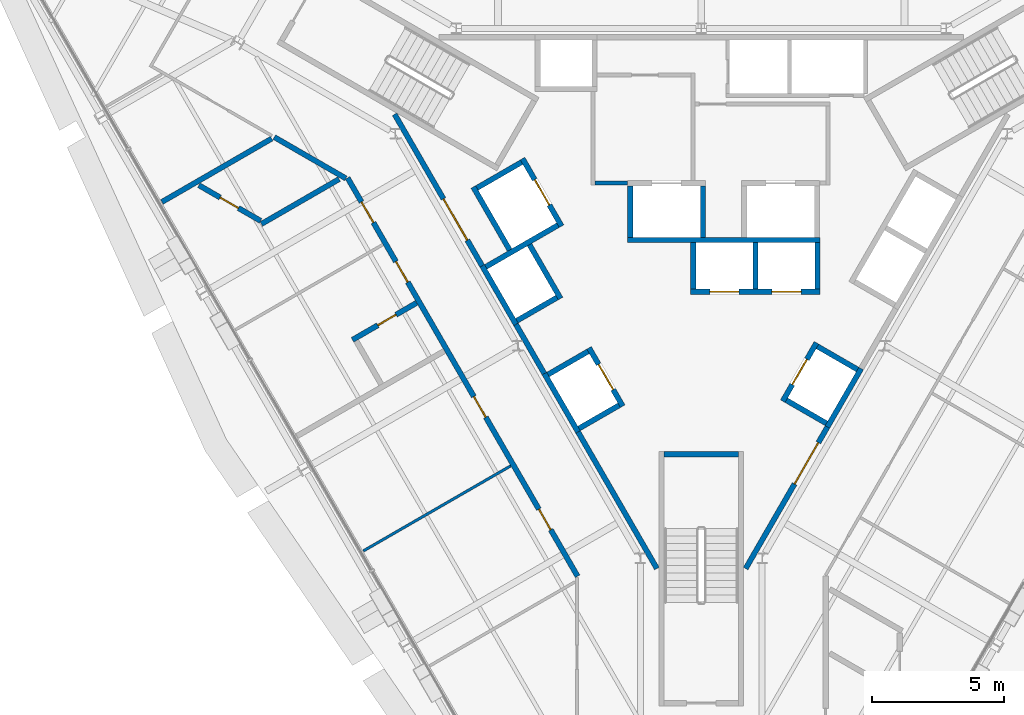
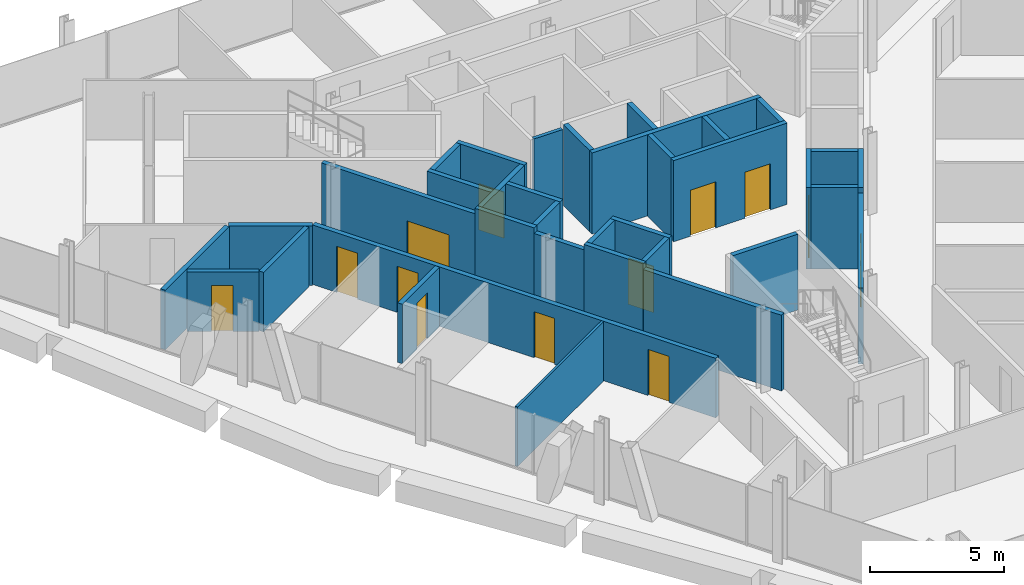
# One storey, part 8 of 13: 35 walls, 13 doors, 13 openings.
"""IFC4 building model written with IfcOpenShell, lengths in metres."""

from ifc_helpers import new_model, si_unit, direction, frame, frame_2d, origin, place, context, subcontext, project, spatial, rectangle, extrude, material, layer, layer_set, type_object, element, fill, save


model = new_model("IFC4")

# Units and contexts
model_context = context("Model", 3, precision=1e-05, world=origin(), true_north=direction((0.0, 1.0)))
body_context = subcontext(model_context, "Body", "Model", "MODEL_VIEW")
ifc_project = project(units=[si_unit("LENGTHUNIT", "METRE"), si_unit("AREAUNIT", "SQUARE_METRE"), si_unit("VOLUMEUNIT", "CUBIC_METRE"), si_unit("PLANEANGLEUNIT", "RADIAN"), si_unit("MASSUNIT", "GRAM", prefix="KILO")], contexts=[model_context])

# Site, building, storey
site_placement = place(None, origin())
site = spatial("IfcSite", under=ifc_project, at=site_placement, CompositionType="ELEMENT")
building_placement = place(site_placement, origin())
building = spatial("IfcBuilding", under=site, at=building_placement, Name="Verrane Prism Tower", CompositionType="ELEMENT")
storey_placement = place(building_placement, frame((0.0, 0.0, 167.300048828125)))
storey = spatial("IfcBuildingStorey", under=building, at=storey_placement, Name="L41", CompositionType="ELEMENT", Elevation=167.300048828125)

# Wall, opening, door
ifc_material_1 = material(Name="Gypsum board partition", Category="other")
ifc_layer_1 = layer(ifc_material_1, 0.199951171875)
ifc_layer_set_1 = layer_set([ifc_layer_1], Name="CW-200 core boundary wall 2 h")
wall_type_1 = type_object("IfcWallType", Name="CW-200 core boundary wall 2 h", PredefinedType="PARTITIONING", material=ifc_layer_set_1)
wall_1_placement = place(storey_placement, frame((-11.590576171875, 4.7548828125, 0.0), z_axis=(0.0, 0.0, 1.0), x_axis=(0.500043977787, -0.866000011708, 0.0)))
wall_1 = element("IfcWall", 1, at=wall_1_placement, inside=storey, type_object=wall_type_1, Name="Core boundary wall CW3-001", PredefinedType="PARTITIONING", context=body_context, shape_type="SweptSolid", body=[
    extrude(rectangle(XDim=6.61669921875, YDim=0.199951171875, at=frame_2d((3.308349609375, 0.0))), origin(), (0.0, 0.0, 1.0), 3.449951171875),
])
opening_1_placement = place(wall_1_placement, frame((3.695068359375, 0.0, 0.0)))
opening_1 = element("IfcOpeningElement", 2, at=opening_1_placement, cuts=wall_1, Name="Opening D39510", PredefinedType="OPENING", context=body_context, shape_type="SweptSolid", body=[
    extrude(rectangle(XDim=1.800048828125, YDim=2.10009765625, at=frame_2d((0.89990234375, 1.050048828125))), frame((0.0, 0.10986328125, 0.0), z_axis=(0.0, -1.0, 0.0), x_axis=(1.0, 0.0, 0.0)), (0.0, 0.0, 1.0), 0.219970703125),
])
ifc_material_2 = material(Name="Timber veneered door leaf", Category="wood")
door_type_1 = type_object("IfcDoorType", Name="DR-1800x2100 FD60 double leaf lift lobby", OperationType="NOTDEFINED", PredefinedType="DOOR", material=ifc_material_2)
door_1_placement = place(opening_1_placement, origin())
door_1 = element("IfcDoor", 3, at=door_1_placement, inside=storey, type_object=door_type_1, Name="Lift lobby door D39510", OperationType="DOUBLE_DOOR_SINGLE_SWING", OverallHeight=2.10009765625, OverallWidth=1.800048828125, PredefinedType="DOOR", context=body_context, shape_type="SweptSolid", body=[
    extrude(rectangle(XDim=1.800048828125, YDim=2.10009765625, at=frame_2d((0.89990234375, 1.050048828125))), frame((0.0, 0.02490234375, 0.0), z_axis=(0.0, -1.0, 0.0), x_axis=(1.0, 0.0, 0.0)), (0.0, 0.0, 1.0), 0.050048828125),
])
fill(opening_1, door_1)

# Walls
wall_2_placement = place(storey_placement, frame((-7.0048828125, -3.18701171875, 0.0), z_axis=(0.0, 0.0, 1.0), x_axis=(0.499689606989, -0.866204535123, 0.0)))
element("IfcWall", 4, at=wall_2_placement, inside=storey, type_object=wall_type_1, Name="Core boundary wall CW3-003", PredefinedType="PARTITIONING", context=body_context, shape_type="SweptSolid", body=[
    extrude(rectangle(XDim=2.144775390625, YDim=0.199951171875, at=frame_2d((1.072265625, 0.0))), origin(), (0.0, 0.0, 1.0), 3.449951171875),
])
wall_3_placement = place(storey_placement, frame((-4.655029296875, -7.257080078125, 0.0), z_axis=(0.0, 0.0, 1.0), x_axis=(0.499966124405, -0.866044960985, 0.0)))
element("IfcWall", 5, at=wall_3_placement, inside=storey, type_object=wall_type_1, Name="Core boundary wall CW3-004", PredefinedType="PARTITIONING", context=body_context, shape_type="SweptSolid", body=[
    extrude(rectangle(XDim=5.95556640625, YDim=0.199951171875, at=frame_2d((2.977783203125, 0.0))), origin(), (0.0, 0.0, 1.0), 3.449951171875),
])

# Wall, opening, door
wall_4_placement = place(storey_placement, frame((1.677490234375, -12.414794921875, 0.0), z_axis=(0.0, 0.0, 1.0), x_axis=(0.500054337157, 0.865994029939, 0.0)))
wall_4 = element("IfcWall", 6, at=wall_4_placement, inside=storey, type_object=wall_type_1, Name="Core boundary wall CW3-006", PredefinedType="PARTITIONING", context=body_context, shape_type="SweptSolid", body=[
    extrude(rectangle(XDim=6.176513671875, YDim=0.199951171875, at=frame_2d((3.08837890625, 0.0))), origin(), (0.0, 0.0, 1.0), 3.449951171875),
])
opening_2_placement = place(wall_4_placement, frame((3.695068359375, 0.0, 0.0)))
opening_2 = element("IfcOpeningElement", 7, at=opening_2_placement, cuts=wall_4, Name="Opening D39515", PredefinedType="OPENING", context=body_context, shape_type="SweptSolid", body=[
    extrude(rectangle(XDim=1.800048828125, YDim=2.10009765625, at=frame_2d((0.89990234375, 1.050048828125))), frame((0.0, 0.10986328125, 0.0), z_axis=(0.0, -1.0, 0.0), x_axis=(1.0, 0.0, 0.0)), (0.0, 0.0, 1.0), 0.219970703125),
])
door_2_placement = place(opening_2_placement, origin())
door_2 = element("IfcDoor", 8, at=door_2_placement, inside=storey, type_object=door_type_1, Name="Lift lobby door D39515", OperationType="DOUBLE_DOOR_SINGLE_SWING", OverallHeight=2.10009765625, OverallWidth=1.800048828125, PredefinedType="DOOR", context=body_context, shape_type="SweptSolid", body=[
    extrude(rectangle(XDim=1.800048828125, YDim=2.10009765625, at=frame_2d((0.89990234375, 1.050048828125))), frame((0.0, 0.02490234375, 0.0), z_axis=(0.0, -1.0, 0.0), x_axis=(1.0, 0.0, 0.0)), (0.0, 0.0, 1.0), 0.050048828125),
])
fill(opening_2, door_2)

# Wall
ifc_material_3 = material(Name="Concrete C40/50", Category="concrete")
ifc_layer_2 = layer(ifc_material_3, 0.199951171875)
ifc_layer_set_2 = layer_set([ifc_layer_2], Name="CW-200 stair core wall concrete C40/50 3 h")
wall_type_2 = type_object("IfcWallType", Name="CW-200 stair core wall concrete C40/50 3 h", PredefinedType="PARTITIONING", material=ifc_layer_set_2)
wall_5_placement = place(storey_placement, frame((-1.39990234375, -8.10009765625, 0.0), z_axis=(0.0, 0.0, 1.0), x_axis=(1.0, 0.0, 0.0)))
element("IfcWall", 9, at=wall_5_placement, inside=storey, type_object=wall_type_2, Name="Stair 3 enclosure wall", PredefinedType="PARTITIONING", context=body_context, shape_type="SweptSolid", body=[
    extrude(rectangle(XDim=2.7998046875, YDim=0.199951171875, at=frame_2d((1.39990234375, 0.0))), origin(), (0.0, 0.0, 1.0), 3.449951171875),
])

# Wall, openings, doors
ifc_material_4 = material(Name="Gypsum board shaft wall assembly", Category="other")
ifc_layer_3 = layer(ifc_material_4, 0.199951171875)
ifc_layer_set_3 = layer_set([ifc_layer_3], Name="HW-200 lift shaft wall 2 h")
wall_type_3 = type_object("IfcWallType", Name="HW-200 lift shaft wall 2 h", PredefinedType="PARTITIONING", material=ifc_layer_set_3)
wall_6_placement = place(storey_placement, frame((-0.405029296875, -1.949951171875, 0.0), z_axis=(0.0, 0.0, 1.0), x_axis=(1.0, 0.0, 0.0)))
wall_6 = element("IfcWall", 10, at=wall_6_placement, inside=storey, type_object=wall_type_3, Name="Lift shaft wall", PredefinedType="PARTITIONING", context=body_context, shape_type="SweptSolid", body=[
    extrude(rectangle(XDim=4.900146484375, YDim=0.199951171875, at=frame_2d((2.4501953125, 0.0))), origin(), (0.0, 0.0, 1.0), 3.699951171875),
])
opening_3_placement = place(wall_6_placement, frame((0.72509765625, 0.0, 0.0)))
opening_3 = element("IfcOpeningElement", 11, at=opening_3_placement, cuts=wall_6, Name="Opening D39503", PredefinedType="OPENING", context=body_context, shape_type="SweptSolid", body=[
    extrude(rectangle(XDim=1.10009765625, YDim=2.10009765625, at=frame_2d((0.550048828125, 1.050048828125))), frame((0.0, 0.10986328125, 0.0), z_axis=(0.0, -1.0, 0.0), x_axis=(1.0, 0.0, 0.0)), (0.0, 0.0, 1.0), 0.219970703125),
])
opening_4_placement = place(wall_6_placement, frame((3.074951171875, 0.0, 0.0)))
opening_4 = element("IfcOpeningElement", 12, at=opening_4_placement, cuts=wall_6, Name="Opening D39504", PredefinedType="OPENING", context=body_context, shape_type="SweptSolid", body=[
    extrude(rectangle(XDim=1.10009765625, YDim=2.10009765625, at=frame_2d((0.550048828125, 1.050048828125))), frame((0.0, 0.10986328125, 0.0), z_axis=(0.0, -1.0, 0.0), x_axis=(1.0, 0.0, 0.0)), (0.0, 0.0, 1.0), 0.219970703125),
])
ifc_material_5 = material(Name="Stainless steel sliding landing door", Category="steel")
door_type_2 = type_object("IfcDoorType", Name="LD-1100x2100 lift landing door FD90 sliding", OperationType="NOTDEFINED", PredefinedType="DOOR", material=ifc_material_5)
door_3_placement = place(opening_3_placement, origin())
door_3 = element("IfcDoor", 13, at=door_3_placement, inside=storey, type_object=door_type_2, Name="Bank B lift 1 landing door", OperationType="SLIDING_TO_LEFT", OverallHeight=2.10009765625, OverallWidth=1.10009765625, PredefinedType="DOOR", context=body_context, shape_type="SweptSolid", body=[
    extrude(rectangle(XDim=1.10009765625, YDim=2.10009765625, at=frame_2d((0.550048828125, 1.050048828125))), frame((0.0, 0.02490234375, 0.0), z_axis=(0.0, -1.0, 0.0), x_axis=(1.0, 0.0, 0.0)), (0.0, 0.0, 1.0), 0.050048828125),
])
fill(opening_3, door_3)
door_4_placement = place(opening_4_placement, origin())
door_4 = element("IfcDoor", 14, at=door_4_placement, inside=storey, type_object=door_type_2, Name="Bank B lift 2 landing door", OperationType="SLIDING_TO_RIGHT", OverallHeight=2.10009765625, OverallWidth=1.10009765625, PredefinedType="DOOR", context=body_context, shape_type="SweptSolid", body=[
    extrude(rectangle(XDim=1.10009765625, YDim=2.10009765625, at=frame_2d((0.550048828125, 1.050048828125))), frame((0.0, 0.02490234375, 0.0), z_axis=(0.0, -1.0, 0.0), x_axis=(1.0, 0.0, 0.0)), (0.0, 0.0, 1.0), 0.050048828125),
])
fill(opening_4, door_4)

# Walls
wall_7_placement = place(storey_placement, frame((-2.784912109375, 0.0, 0.0), z_axis=(0.0, 0.0, 1.0), x_axis=(1.0, 0.0, 0.0)))
element("IfcWall", 15, at=wall_7_placement, inside=storey, type_object=wall_type_3, Name="Lift shaft wall", PredefinedType="PARTITIONING", context=body_context, shape_type="SweptSolid", body=[
    extrude(rectangle(XDim=7.280029296875, YDim=0.199951171875, at=frame_2d((3.64013671875, 0.0))), origin(), (0.0, 0.0, 1.0), 3.699951171875),
])
for number, where, z_axis, x_axis, name in (
    (16, (-4.61962890625, -7.118408203125, 0.0), (0.0, 0.0, 1.0), (0.866036909293, 0.499980071345, 0.0), "Lift shaft wall"),
    (17, (-5.794677734375, -5.083251953125, 0.0), (0.0, 0.0, 1.0), (0.866036909293, 0.499980071345, 0.0), "Lift shaft wall"),
    (18, (-6.9697265625, -3.048095703125, 0.0), (0.0, 0.0, 1.0), (0.866036909293, 0.499980071345, 0.0), "Lift shaft wall"),
):
    element("IfcWall", number, at=place(storey_placement, frame(where, z_axis=z_axis, x_axis=x_axis)), inside=storey, type_object=wall_type_3, Name=name, PredefinedType="PARTITIONING", context=body_context, shape_type="SweptSolid", body=[
        extrude(rectangle(XDim=1.75, YDim=0.199951171875, at=frame_2d((0.875, 0.0))), origin(), (0.0, 0.0, 1.0), 3.699951171875),
    ])
wall_8_placement = place(storey_placement, frame((-8.14453125, -1.012939453125, 0.0), z_axis=(0.0, 0.0, 1.0), x_axis=(0.866016494683, 0.500015430699, 0.0)))
element("IfcWall", 19, at=wall_8_placement, inside=storey, type_object=wall_type_3, Name="Lift shaft wall", PredefinedType="PARTITIONING", context=body_context, shape_type="SweptSolid", body=[
    extrude(rectangle(XDim=3.14990234375, YDim=0.199951171875, at=frame_2d((1.574951171875, 0.0))), origin(), (0.0, 0.0, 1.0), 3.699951171875),
])
wall_9_placement = place(storey_placement, frame((-8.48046875, 1.968505859375, 0.0), z_axis=(0.0, 0.0, 1.0), x_axis=(0.866000020948, 0.500043961785, 0.0)))
element("IfcWall", 20, at=wall_9_placement, inside=storey, type_object=wall_type_3, Name="Lift shaft wall", PredefinedType="PARTITIONING", context=body_context, shape_type="SweptSolid", body=[
    extrude(rectangle(XDim=1.949951171875, YDim=0.199951171875, at=frame_2d((0.97509765625, 0.0))), origin(), (0.0, 0.0, 1.0), 3.699951171875),
])
wall_10_placement = place(storey_placement, frame((4.766357421875, -7.064697265625, 0.0), z_axis=(0.0, 0.0, 1.0), x_axis=(0.499948979701, 0.866054858364, 0.0)))
element("IfcWall", 21, at=wall_10_placement, inside=storey, type_object=wall_type_3, Name="Lift shaft wall", PredefinedType="PARTITIONING", context=body_context, shape_type="SweptSolid", body=[
    extrude(rectangle(XDim=2.550048828125, YDim=0.199951171875, at=frame_2d((1.27490234375, 0.0))), origin(), (0.0, 0.0, 1.0), 3.699951171875),
])

# Wall, opening, door
wall_11_placement = place(storey_placement, frame((3.077392578125, -6.089599609375, 0.0), z_axis=(0.0, 0.0, 1.0), x_axis=(0.500062241894, 0.865989465428, 0.0)))
wall_11 = element("IfcWall", 22, at=wall_11_placement, inside=storey, type_object=wall_type_3, Name="Lift shaft wall", PredefinedType="PARTITIONING", context=body_context, shape_type="SweptSolid", body=[
    extrude(rectangle(XDim=2.550048828125, YDim=0.199951171875, at=frame_2d((1.27490234375, 0.0))), origin(), (0.0, 0.0, 1.0), 3.699951171875),
])
opening_5_placement = place(wall_11_placement, frame((0.72509765625, 0.0, 0.0)))
opening_5 = element("IfcOpeningElement", 23, at=opening_5_placement, cuts=wall_11, Name="Opening D39505", PredefinedType="OPENING", context=body_context, shape_type="SweptSolid", body=[
    extrude(rectangle(XDim=1.10009765625, YDim=2.10009765625, at=frame_2d((0.550048828125, 1.050048828125))), frame((0.0, 0.10986328125, 0.0), z_axis=(0.0, -1.0, 0.0), x_axis=(1.0, 0.0, 0.0)), (0.0, 0.0, 1.0), 0.219970703125),
])
door_5_placement = place(opening_5_placement, origin())
door_5 = element("IfcDoor", 24, at=door_5_placement, inside=storey, type_object=door_type_2, Name="Bank B lift 3 landing door", OperationType="SLIDING_TO_LEFT", OverallHeight=2.10009765625, OverallWidth=1.10009765625, PredefinedType="DOOR", context=body_context, shape_type="SweptSolid", body=[
    extrude(rectangle(XDim=1.10009765625, YDim=2.10009765625, at=frame_2d((0.550048828125, 1.050048828125))), frame((0.0, 0.02490234375, 0.0), z_axis=(0.0, -1.0, 0.0), x_axis=(1.0, 0.0, 0.0)), (0.0, 0.0, 1.0), 0.050048828125),
])
fill(opening_5, door_5)

# Walls
for number, where, z_axis, x_axis, name in (
    (25, (4.39501953125, -1.85009765625, 0.0), (0.0, 0.0, 1.0), (0.0, 1.0, 0.0), "Lift shaft wall"),
    (26, (2.044921875, -1.85009765625, 0.0), (0.0, 0.0, 1.0), (0.0, 1.0, 0.0), "Lift shaft wall"),
):
    element("IfcWall", number, at=place(storey_placement, frame(where, z_axis=z_axis, x_axis=x_axis)), inside=storey, type_object=wall_type_3, Name=name, PredefinedType="PARTITIONING", context=body_context, shape_type="SweptSolid", body=[
        extrude(rectangle(XDim=1.75, YDim=0.199951171875, at=frame_2d((0.875, 0.0))), origin(), (0.0, 0.0, 1.0), 3.699951171875),
    ])
wall_12_placement = place(storey_placement, frame((0.06494140625, 0.10009765625, 0.0), z_axis=(0.0, 0.0, 1.0), x_axis=(0.0, 1.0, 0.0)))
element("IfcWall", 27, at=wall_12_placement, inside=storey, type_object=wall_type_3, Name="Lift shaft wall", PredefinedType="PARTITIONING", context=body_context, shape_type="SweptSolid", body=[
    extrude(rectangle(XDim=1.949951171875, YDim=0.199951171875, at=frame_2d((0.97509765625, 0.0))), origin(), (0.0, 0.0, 1.0), 3.699951171875),
])
wall_13_placement = place(storey_placement, frame((-0.304931640625, -1.85009765625, 0.0), z_axis=(0.0, 0.0, 1.0), x_axis=(0.0, 1.0, 0.0)))
element("IfcWall", 28, at=wall_13_placement, inside=storey, type_object=wall_type_3, Name="Lift shaft wall", PredefinedType="PARTITIONING", context=body_context, shape_type="SweptSolid", body=[
    extrude(rectangle(XDim=1.75, YDim=0.199951171875, at=frame_2d((0.875, 0.0))), origin(), (0.0, 0.0, 1.0), 3.699951171875),
])
wall_14_placement = place(storey_placement, frame((-2.68505859375, 0.10009765625, 0.0), z_axis=(0.0, 0.0, 1.0), x_axis=(0.0, 1.0, 0.0)))
element("IfcWall", 29, at=wall_14_placement, inside=storey, type_object=wall_type_3, Name="Lift shaft wall", PredefinedType="PARTITIONING", context=body_context, shape_type="SweptSolid", body=[
    extrude(rectangle(XDim=1.949951171875, YDim=0.199951171875, at=frame_2d((0.97509765625, 0.0))), origin(), (0.0, 0.0, 1.0), 3.699951171875),
])

# Wall, opening, door
wall_15_placement = place(storey_placement, frame((-5.280029296875, 0.525390625, 0.0), z_axis=(0.0, 0.0, 1.0), x_axis=(-0.500037662692, 0.866003658127, 0.0)))
wall_15 = element("IfcWall", 30, at=wall_15_placement, inside=storey, type_object=wall_type_3, Name="Lift shaft wall", PredefinedType="PARTITIONING", context=body_context, shape_type="SweptSolid", body=[
    extrude(rectangle(XDim=2.949951171875, YDim=0.199951171875, at=frame_2d((1.47509765625, 0.0))), origin(), (0.0, 0.0, 1.0), 3.699951171875),
])
opening_6_placement = place(wall_15_placement, frame((0.925048828125, 0.0, 0.0)))
opening_6 = element("IfcOpeningElement", 31, at=opening_6_placement, cuts=wall_15, Name="Opening D39509", PredefinedType="OPENING", context=body_context, shape_type="SweptSolid", body=[
    extrude(rectangle(XDim=1.10009765625, YDim=2.10009765625, at=frame_2d((0.550048828125, 1.050048828125))), frame((0.0, 0.10986328125, 0.0), z_axis=(0.0, -1.0, 0.0), x_axis=(1.0, 0.0, 0.0)), (0.0, 0.0, 1.0), 0.219970703125),
])
door_6_placement = place(opening_6_placement, origin())
door_6 = element("IfcDoor", 32, at=door_6_placement, inside=storey, type_object=door_type_2, Name="Service lift 1 landing door", OperationType="SLIDING_TO_LEFT", OverallHeight=2.10009765625, OverallWidth=1.10009765625, PredefinedType="DOOR", context=body_context, shape_type="SweptSolid", body=[
    extrude(rectangle(XDim=1.10009765625, YDim=2.10009765625, at=frame_2d((0.550048828125, 1.050048828125))), frame((0.0, 0.02490234375, 0.0), z_axis=(0.0, -1.0, 0.0), x_axis=(1.0, 0.0, 0.0)), (0.0, 0.0, 1.0), 0.050048828125),
])
fill(opening_6, door_6)

wall_16_placement = place(storey_placement, frame((-2.967529296875, -6.280029296875, 0.0), z_axis=(0.0, 0.0, 1.0), x_axis=(-0.499990435942, 0.866030925526, 0.0)))
wall_16 = element("IfcWall", 33, at=wall_16_placement, inside=storey, type_object=wall_type_3, Name="Lift shaft wall", PredefinedType="PARTITIONING", context=body_context, shape_type="SweptSolid", body=[
    extrude(rectangle(XDim=2.5498046875, YDim=0.199951171875, at=frame_2d((1.27490234375, 0.0))), origin(), (0.0, 0.0, 1.0), 3.699951171875),
])
opening_7_placement = place(wall_16_placement, frame((0.72509765625, 0.0, 0.0)))
opening_7 = element("IfcOpeningElement", 34, at=opening_7_placement, cuts=wall_16, Name="Opening D39506", PredefinedType="OPENING", context=body_context, shape_type="SweptSolid", body=[
    extrude(rectangle(XDim=1.10009765625, YDim=2.10009765625, at=frame_2d((0.550048828125, 1.050048828125))), frame((0.0, 0.10986328125, 0.0), z_axis=(0.0, -1.0, 0.0), x_axis=(1.0, 0.0, 0.0)), (0.0, 0.0, 1.0), 0.219970703125),
])
door_7_placement = place(opening_7_placement, origin())
door_7 = element("IfcDoor", 35, at=door_7_placement, inside=storey, type_object=door_type_2, Name="Bank B lift 4 landing door", OperationType="SLIDING_TO_RIGHT", OverallHeight=2.10009765625, OverallWidth=1.10009765625, PredefinedType="DOOR", context=body_context, shape_type="SweptSolid", body=[
    extrude(rectangle(XDim=1.10009765625, YDim=2.10009765625, at=frame_2d((0.550048828125, 1.050048828125))), frame((0.0, 0.02490234375, 0.0), z_axis=(0.0, -1.0, 0.0), x_axis=(1.0, 0.0, 0.0)), (0.0, 0.0, 1.0), 0.050048828125),
])
fill(opening_7, door_7)

# Walls
wall_17_placement = place(storey_placement, frame((-5.317626953125, -2.209716796875, 0.0), z_axis=(0.0, 0.0, 1.0), x_axis=(-0.499938297808, 0.866061024631, 0.0)))
element("IfcWall", 36, at=wall_17_placement, inside=storey, type_object=wall_type_3, Name="Lift shaft wall", PredefinedType="PARTITIONING", context=body_context, shape_type="SweptSolid", body=[
    extrude(rectangle(XDim=2.349853515625, YDim=0.199951171875, at=frame_2d((1.1748046875, 0.0))), origin(), (0.0, 0.0, 1.0), 3.699951171875),
])
wall_18_placement = place(storey_placement, frame((-7.241943359375, -0.37646484375, 0.0), z_axis=(0.0, 0.0, 1.0), x_axis=(-0.499996545922, 0.866027397988, 0.0)))
element("IfcWall", 37, at=wall_18_placement, inside=storey, type_object=wall_type_3, Name="Lift shaft wall", PredefinedType="PARTITIONING", context=body_context, shape_type="SweptSolid", body=[
    extrude(rectangle(XDim=2.75, YDim=0.199951171875, at=frame_2d((1.375, 0.0))), origin(), (0.0, 0.0, 1.0), 3.699951171875),
])
for number, where, z_axis, x_axis, name in (
    (38, (-4.65625, -7.255126953125, 0.0), (0.0, 0.0, 1.0), (-0.499990435942, 0.866030925526, 0.0), "Lift shaft wall"),
    (39, (-7.00634765625, -3.184814453125, 0.0), (0.0, 0.0, 1.0), (-0.499990435942, 0.866030925526, 0.0), "Lift shaft wall"),
):
    element("IfcWall", number, at=place(storey_placement, frame(where, z_axis=z_axis, x_axis=x_axis)), inside=storey, type_object=wall_type_3, Name=name, PredefinedType="PARTITIONING", context=body_context, shape_type="SweptSolid", body=[
        extrude(rectangle(XDim=2.5498046875, YDim=0.199951171875, at=frame_2d((1.27490234375, 0.0))), origin(), (0.0, 0.0, 1.0), 3.699951171875),
    ])
wall_19_placement = place(storey_placement, frame((5.904541015625, -4.892822265625, 0.0), z_axis=(0.0, 0.0, 1.0), x_axis=(-0.866002029911, 0.500040482552, 0.0)))
element("IfcWall", 40, at=wall_19_placement, inside=storey, type_object=wall_type_3, Name="Lift shaft wall", PredefinedType="PARTITIONING", context=body_context, shape_type="SweptSolid", body=[
    extrude(rectangle(XDim=1.749755859375, YDim=0.199951171875, at=frame_2d((0.875, 0.0))), origin(), (0.0, 0.0, 1.0), 3.699951171875),
])
wall_20_placement = place(storey_placement, frame((4.729736328125, -6.927978515625, 0.0), z_axis=(0.0, 0.0, 1.0), x_axis=(-0.866036909293, 0.499980071345, 0.0)))
element("IfcWall", 41, at=wall_20_placement, inside=storey, type_object=wall_type_3, Name="Lift shaft wall", PredefinedType="PARTITIONING", context=body_context, shape_type="SweptSolid", body=[
    extrude(rectangle(XDim=1.75, YDim=0.199951171875, at=frame_2d((0.875, 0.0))), origin(), (0.0, 0.0, 1.0), 3.699951171875),
])
ifc_material_6 = material(Name="Gypsum board partition", Category="other")
ifc_layer_4 = layer(ifc_material_6, 0.14990234375)
ifc_layer_set_4 = layer_set([ifc_layer_4], Name="LF-150 firefighting lobby wall 1 h")
wall_type_4 = type_object("IfcWallType", Name="LF-150 firefighting lobby wall 1 h", PredefinedType="PARTITIONING", material=ifc_layer_set_4)
wall_21_placement = place(storey_placement, frame((-4.02490234375, 2.159912109375, 0.0), z_axis=(0.0, 0.0, 1.0), x_axis=(1.0, 0.0, 0.0)))
element("IfcWall", 42, at=wall_21_placement, inside=storey, type_object=wall_type_4, Name="Firefighting lobby wall LF1-002", PredefinedType="PARTITIONING", context=body_context, shape_type="SweptSolid", body=[
    extrude(rectangle(XDim=1.23779296875, YDim=0.14990234375, at=frame_2d((0.618896484375, 0.0))), origin(), (0.0, 0.0, 1.0), 3.449951171875),
])
ifc_material_7 = material(Name="Gypsum board partition", Category="other")
ifc_layer_5 = layer(ifc_material_7, 0.10009765625)
ifc_layer_set_5 = layer_set([ifc_layer_5], Name="PW-100 room partition")
wall_type_5 = type_object("IfcWallType", Name="PW-100 room partition", PredefinedType="PARTITIONING", material=ifc_layer_set_5)
wall_22_placement = place(storey_placement, frame((-12.771728515625, -11.7490234375, 0.0), z_axis=(0.0, 0.0, 1.0), x_axis=(0.866026229868, 0.499998569178, 0.0)))
element("IfcWall", 43, at=wall_22_placement, inside=storey, type_object=wall_type_5, Name="Room partition 014", PredefinedType="PARTITIONING", context=body_context, shape_type="SweptSolid", body=[
    extrude(rectangle(XDim=6.42919921875, YDim=0.10009765625, at=frame_2d((3.214599609375, 0.0))), origin(), (0.0, 0.0, 1.0), 2.712890625),
])
ifc_material_8 = material(Name="Gypsum board partition", Category="other")
ifc_layer_6 = layer(ifc_material_8, 0.199951171875)
ifc_layer_set_6 = layer_set([ifc_layer_6], Name="PW-200 plumbing wall")
wall_type_6 = type_object("IfcWallType", Name="PW-200 plumbing wall", PredefinedType="PARTITIONING", material=ifc_layer_set_6)
wall_23_placement = place(storey_placement, frame((-20.385498046875, 1.439208984375, 0.0), z_axis=(0.0, 0.0, 1.0), x_axis=(0.86607354268, 0.499916611716, 0.0)))
element("IfcWall", 44, at=wall_23_placement, inside=storey, type_object=wall_type_6, Name="Plumbing wall 004", PredefinedType="PARTITIONING", context=body_context, shape_type="SweptSolid", body=[
    extrude(rectangle(XDim=4.789306640625, YDim=0.199951171875, at=frame_2d((2.39453125, 0.0))), origin(), (0.0, 0.0, 1.0), 2.712890625),
])

# Wall, opening, door
wall_24_placement = place(storey_placement, frame((-18.988037109375, 2.072509765625, 0.0), z_axis=(0.0, 0.0, 1.0), x_axis=(0.866031650062, -0.499989180974, 0.0)))
wall_24 = element("IfcWall", 45, at=wall_24_placement, inside=storey, type_object=wall_type_6, Name="Plumbing wall 005", PredefinedType="PARTITIONING", context=body_context, shape_type="SweptSolid", body=[
    extrude(rectangle(XDim=2.69384765625, YDim=0.199951171875, at=frame_2d((1.346923828125, 0.0))), origin(), (0.0, 0.0, 1.0), 2.712890625),
])
opening_8_placement = place(wall_24_placement, frame((0.9267578125, 0.0, 0.0)))
opening_8 = element("IfcOpeningElement", 46, at=opening_8_placement, cuts=wall_24, Name="Opening D39019", PredefinedType="OPENING", context=body_context, shape_type="SweptSolid", body=[
    extrude(rectangle(XDim=0.800048828125, YDim=2.10009765625, at=frame_2d((0.39990234375, 1.050048828125))), frame((0.0, 0.10986328125, 0.0), z_axis=(0.0, -1.0, 0.0), x_axis=(1.0, 0.0, 0.0)), (0.0, 0.0, 1.0), 0.219970703125),
])
ifc_material_9 = material(Name="Timber veneered door leaf", Category="wood")
door_type_3 = type_object("IfcDoorType", Name="DR-800x2100 single leaf bath", OperationType="NOTDEFINED", PredefinedType="DOOR", material=ifc_material_9)
door_8_placement = place(opening_8_placement, origin())
door_8 = element("IfcDoor", 47, at=door_8_placement, inside=storey, type_object=door_type_3, Name="Master Bathroom door", OperationType="SINGLE_SWING_LEFT", OverallHeight=2.10009765625, OverallWidth=0.800048828125, PredefinedType="DOOR", context=body_context, shape_type="SweptSolid", body=[
    extrude(rectangle(XDim=0.800048828125, YDim=2.10009765625, at=frame_2d((0.39990234375, 1.050048828125))), frame((0.0, 0.02490234375, 0.0), z_axis=(0.0, -1.0, 0.0), x_axis=(1.0, 0.0, 0.0)), (0.0, 0.0, 1.0), 0.050048828125),
])
fill(opening_8, door_8)

# Walls
wall_25_placement = place(storey_placement, frame((-16.62451171875, 0.60791015625, 0.0), z_axis=(0.0, 0.0, 1.0), x_axis=(0.866005731893, 0.500034071167, 0.0)))
element("IfcWall", 48, at=wall_25_placement, inside=storey, type_object=wall_type_6, Name="Plumbing wall 007", PredefinedType="PARTITIONING", context=body_context, shape_type="SweptSolid", body=[
    extrude(rectangle(XDim=3.390869140625, YDim=0.199951171875, at=frame_2d((1.6953125, 0.0))), origin(), (0.0, 0.0, 1.0), 2.712890625),
])
wall_26_placement = place(storey_placement, frame((-16.137939453125, 3.89111328125, 0.0), z_axis=(0.0, 0.0, 1.0), x_axis=(0.866117881966, -0.49983978887, 0.0)))
element("IfcWall", 49, at=wall_26_placement, inside=storey, type_object=wall_type_6, Name="Plumbing wall 008", PredefinedType="PARTITIONING", context=body_context, shape_type="SweptSolid", body=[
    extrude(rectangle(XDim=3.1220703125, YDim=0.199951171875, at=frame_2d((1.56103515625, 0.0))), origin(), (0.0, 0.0, 1.0), 2.712890625),
])

# Wall, openings, doors
wall_27_placement = place(storey_placement, frame((-4.675048828125, -12.706298828125, 0.0), z_axis=(0.0, 0.0, 1.0), x_axis=(-0.499972470324, 0.866041297467, 0.0)))
wall_27 = element("IfcWall", 50, at=wall_27_placement, inside=storey, type_object=wall_type_6, Name="Plumbing wall 011", PredefinedType="PARTITIONING", context=body_context, shape_type="SweptSolid", body=[
    extrude(rectangle(XDim=17.384765625, YDim=0.199951171875, at=frame_2d((8.6923828125, 0.0))), origin(), (0.0, 0.0, 1.0), 2.712890625),
])
opening_9_placement = place(wall_27_placement, frame((15.434814453125, 0.0, 0.0)))
opening_9 = element("IfcOpeningElement", 51, at=opening_9_placement, cuts=wall_27, Name="Opening D39018", PredefinedType="OPENING", context=body_context, shape_type="SweptSolid", body=[
    extrude(rectangle(XDim=0.89990234375, YDim=2.10009765625, at=frame_2d((0.449951171875, 1.050048828125))), frame((0.0, 0.10986328125, 0.0), z_axis=(0.0, -1.0, 0.0), x_axis=(1.0, 0.0, 0.0)), (0.0, 0.0, 1.0), 0.219970703125),
])
opening_10_placement = place(wall_27_placement, frame((12.834716796875, 0.0, 0.0)))
opening_10 = element("IfcOpeningElement", 52, at=opening_10_placement, cuts=wall_27, Name="Opening D39020", PredefinedType="OPENING", context=body_context, shape_type="SweptSolid", body=[
    extrude(rectangle(XDim=0.89990234375, YDim=2.10009765625, at=frame_2d((0.449951171875, 1.050048828125))), frame((0.0, 0.10986328125, 0.0), z_axis=(0.0, -1.0, 0.0), x_axis=(1.0, 0.0, 0.0)), (0.0, 0.0, 1.0), 0.219970703125),
])
opening_11_placement = place(wall_27_placement, frame((6.940673828125, 0.0, 0.0)))
opening_11 = element("IfcOpeningElement", 53, at=opening_11_placement, cuts=wall_27, Name="Opening D39022", PredefinedType="OPENING", context=body_context, shape_type="SweptSolid", body=[
    extrude(rectangle(XDim=0.89990234375, YDim=2.10009765625, at=frame_2d((0.449951171875, 1.050048828125))), frame((0.0, 0.10986328125, 0.0), z_axis=(0.0, -1.0, 0.0), x_axis=(1.0, 0.0, 0.0)), (0.0, 0.0, 1.0), 0.219970703125),
])
opening_12_placement = place(wall_27_placement, frame((2.02783203125, 0.0, 0.0)))
opening_12 = element("IfcOpeningElement", 54, at=opening_12_placement, cuts=wall_27, Name="Opening D39023", PredefinedType="OPENING", context=body_context, shape_type="SweptSolid", body=[
    extrude(rectangle(XDim=0.89990234375, YDim=2.10009765625, at=frame_2d((0.449951171875, 1.050048828125))), frame((0.0, 0.10986328125, 0.0), z_axis=(0.0, -1.0, 0.0), x_axis=(1.0, 0.0, 0.0)), (0.0, 0.0, 1.0), 0.219970703125),
])
ifc_material_10 = material(Name="Timber veneered door leaf", Category="wood")
door_type_4 = type_object("IfcDoorType", Name="DR-900x2100 single leaf inner", OperationType="NOTDEFINED", PredefinedType="DOOR", material=ifc_material_10)
door_9_placement = place(opening_9_placement, origin())
door_9 = element("IfcDoor", 55, at=door_9_placement, inside=storey, type_object=door_type_4, Name="Master Bedroom door", OperationType="SINGLE_SWING_LEFT", OverallHeight=2.10009765625, OverallWidth=0.89990234375, PredefinedType="DOOR", context=body_context, shape_type="SweptSolid", body=[
    extrude(rectangle(XDim=0.89990234375, YDim=2.10009765625, at=frame_2d((0.449951171875, 1.050048828125))), frame((0.0, 0.02490234375, 0.0), z_axis=(0.0, -1.0, 0.0), x_axis=(1.0, 0.0, 0.0)), (0.0, 0.0, 1.0), 0.050048828125),
])
fill(opening_9, door_9)
door_10_placement = place(opening_10_placement, origin())
door_10 = element("IfcDoor", 56, at=door_10_placement, inside=storey, type_object=door_type_4, Name="Bedroom door", OperationType="SINGLE_SWING_LEFT", OverallHeight=2.10009765625, OverallWidth=0.89990234375, PredefinedType="DOOR", context=body_context, shape_type="SweptSolid", body=[
    extrude(rectangle(XDim=0.89990234375, YDim=2.10009765625, at=frame_2d((0.449951171875, 1.050048828125))), frame((0.0, 0.02490234375, 0.0), z_axis=(0.0, -1.0, 0.0), x_axis=(1.0, 0.0, 0.0)), (0.0, 0.0, 1.0), 0.050048828125),
])
fill(opening_10, door_10)
ifc_material_11 = material(Name="Timber veneered door leaf", Category="wood")
door_type_5 = type_object("IfcDoorType", Name="DR-900x2100 single leaf unit", OperationType="NOTDEFINED", PredefinedType="DOOR", material=ifc_material_11)
door_11_placement = place(opening_11_placement, origin())
door_11 = element("IfcDoor", 57, at=door_11_placement, inside=storey, type_object=door_type_5, Name="Study door", OperationType="SINGLE_SWING_LEFT", OverallHeight=2.10009765625, OverallWidth=0.89990234375, PredefinedType="DOOR", context=body_context, shape_type="SweptSolid", body=[
    extrude(rectangle(XDim=0.89990234375, YDim=2.10009765625, at=frame_2d((0.449951171875, 1.050048828125))), frame((0.0, 0.02490234375, 0.0), z_axis=(0.0, -1.0, 0.0), x_axis=(1.0, 0.0, 0.0)), (0.0, 0.0, 1.0), 0.050048828125),
])
fill(opening_11, door_11)
door_12_placement = place(opening_12_placement, origin())
door_12 = element("IfcDoor", 58, at=door_12_placement, inside=storey, type_object=door_type_5, Name="Study door", OperationType="SINGLE_SWING_RIGHT", OverallHeight=2.10009765625, OverallWidth=0.89990234375, PredefinedType="DOOR", context=body_context, shape_type="SweptSolid", body=[
    extrude(rectangle(XDim=0.89990234375, YDim=2.10009765625, at=frame_2d((0.449951171875, 1.050048828125))), frame((0.0, 0.02490234375, 0.0), z_axis=(0.0, -1.0, 0.0), x_axis=(1.0, 0.0, 0.0)), (0.0, 0.0, 1.0), 0.050048828125),
])
fill(opening_12, door_12)

# Wall, opening, door
wall_28_placement = place(storey_placement, frame((-10.760986328125, -2.37353515625, 0.0), z_axis=(0.0, 0.0, 1.0), x_axis=(-0.866041588165, -0.499971966783, 0.0)))
wall_28 = element("IfcWall", 59, at=wall_28_placement, inside=storey, type_object=wall_type_6, Name="Plumbing wall 013", PredefinedType="PARTITIONING", context=body_context, shape_type="SweptSolid", body=[
    extrude(rectangle(XDim=2.795166015625, YDim=0.199951171875, at=frame_2d((1.3974609375, 0.0))), origin(), (0.0, 0.0, 1.0), 2.712890625),
])
opening_13_placement = place(wall_28_placement, frame((0.89501953125, 0.0, 0.0)))
opening_13 = element("IfcOpeningElement", 60, at=opening_13_placement, cuts=wall_28, Name="Opening D39021", PredefinedType="OPENING", context=body_context, shape_type="SweptSolid", body=[
    extrude(rectangle(XDim=0.800048828125, YDim=2.10009765625, at=frame_2d((0.39990234375, 1.050048828125))), frame((0.0, 0.10986328125, 0.0), z_axis=(0.0, -1.0, 0.0), x_axis=(1.0, 0.0, 0.0)), (0.0, 0.0, 1.0), 0.219970703125),
])
door_13_placement = place(opening_13_placement, origin())
door_13 = element("IfcDoor", 61, at=door_13_placement, inside=storey, type_object=door_type_3, Name="Bathroom door", OperationType="SINGLE_SWING_RIGHT", OverallHeight=2.10009765625, OverallWidth=0.800048828125, PredefinedType="DOOR", context=body_context, shape_type="SweptSolid", body=[
    extrude(rectangle(XDim=0.800048828125, YDim=2.10009765625, at=frame_2d((0.39990234375, 1.050048828125))), frame((0.0, 0.02490234375, 0.0), z_axis=(0.0, -1.0, 0.0), x_axis=(1.0, 0.0, 0.0)), (0.0, 0.0, 1.0), 0.050048828125),
])
fill(opening_13, door_13)

save(model, "model.ifc")
